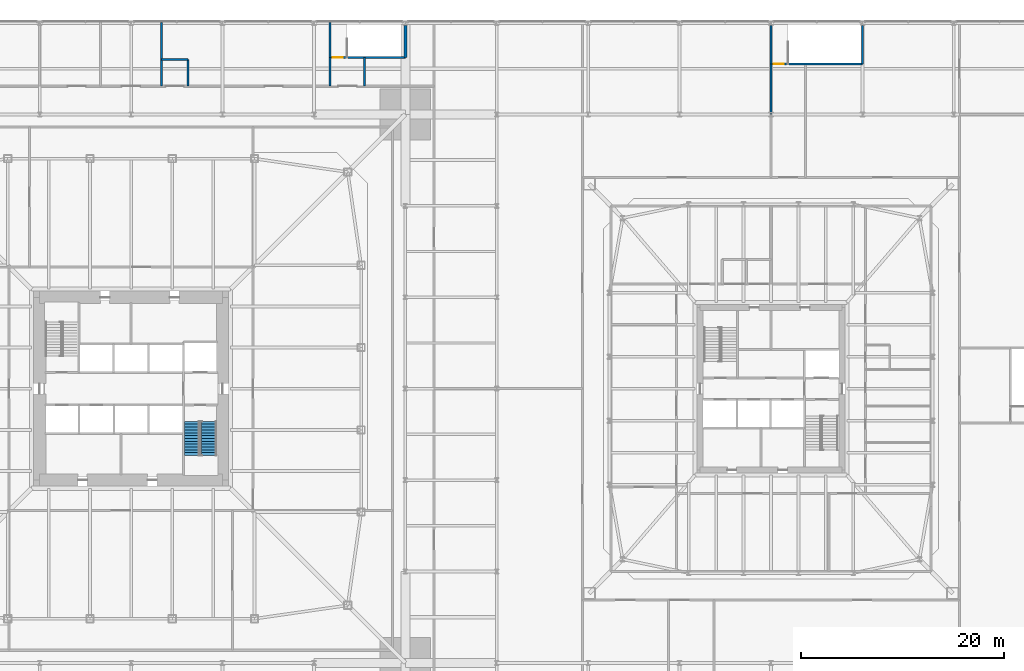
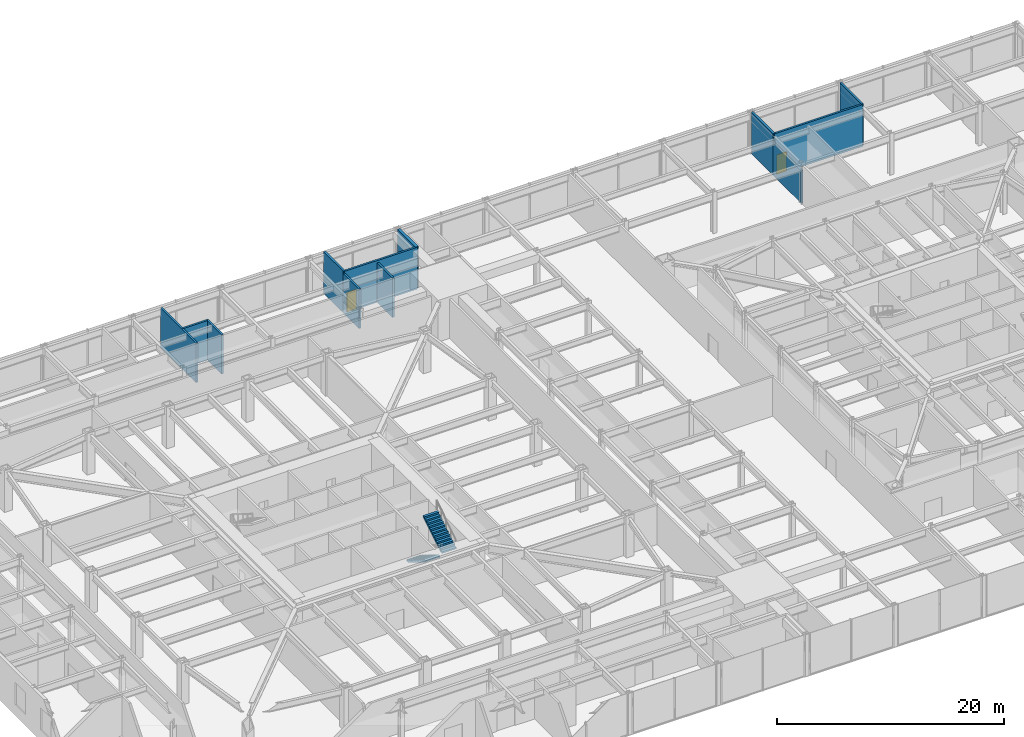
# One storey, part 27 of 30: 12 walls, 2 doors, 2 stair flights, 2 openings, 1 element without a shape of its own.
"""IFC4 building model written with IfcOpenShell, lengths in metres."""

from ifc_helpers import new_model, si_unit, direction, frame, frame_2d, origin, place, context, subcontext, project, spatial, polyline, rectangle, outline, extrude, material, layer, layer_set, constituent, constituent_set, type_object, element, fill, aggregate, save


model = new_model("IFC4")

# Units and contexts
model_context = context("Model", 3, precision=1e-05, world=origin(), true_north=direction((0.0, 1.0)))
body_context = subcontext(model_context, "Body", "Model", "MODEL_VIEW")
ifc_project = project(units=[si_unit("LENGTHUNIT", "METRE"), si_unit("AREAUNIT", "SQUARE_METRE"), si_unit("VOLUMEUNIT", "CUBIC_METRE"), si_unit("PLANEANGLEUNIT", "RADIAN"), si_unit("MASSUNIT", "GRAM", prefix="KILO")], contexts=[model_context])

# Site, building, storey
site_placement = place(None, origin())
site = spatial("IfcSite", under=ifc_project, at=site_placement, CompositionType="ELEMENT")
building_placement = place(site_placement, origin())
building = spatial("IfcBuilding", under=site, at=building_placement, Name="Iwan Alto Co-Living Towers", CompositionType="ELEMENT")
storey_placement = place(building_placement, frame((0.0, 0.0, 10.5)))
storey = spatial("IfcBuildingStorey", under=building, at=storey_placement, Name="L02", CompositionType="ELEMENT", Elevation=10.5)

# Walls
ifc_material_1 = material(Name="Concrete block masonry f*p 10 MPa", Category="masonry")
ifc_layer_1 = layer(ifc_material_1, 0.199951171875)
ifc_layer_set_1 = layer_set([ifc_layer_1], Name="PODIUM INTERNAL WALL 200")
wall_type_1 = type_object("IfcWallType", Name="PODIUM INTERNAL WALL 200", PredefinedType="SOLIDWALL", material=ifc_layer_set_1)
wall_1_placement = place(storey_placement, frame((3.0, 32.39990234375, 0.0), z_axis=(0.0, 0.0, 1.0), x_axis=(1.0, 0.0, 0.0)))
element("IfcWall", 1, at=wall_1_placement, inside=storey, type_object=wall_type_1, Name="Partition L02", PredefinedType="SOLIDWALL", context=body_context, shape_type="SweptSolid", body=[
    extrude(rectangle(XDim=2.60009765625, YDim=0.199951171875, at=frame_2d((1.300048828125, 0.0))), origin(), (0.0, 0.0, 1.0), 4.25),
])
for number, where, z_axis, x_axis, name in (
    (2, (23.0, 29.800048828125, 0.0), (0.0, 0.0, 1.0), (0.0, 1.0, 0.0), "Partition L02"),
    (3, (19.60009765625, 29.800048828125, 0.0), (0.0, 0.0, 1.0), (0.0, 1.0, 0.0), "Partition L02"),
):
    element("IfcWall", number, at=place(storey_placement, frame(where, z_axis=z_axis, x_axis=x_axis)), inside=storey, type_object=wall_type_1, Name=name, PredefinedType="SOLIDWALL", context=body_context, shape_type="SweptSolid", body=[
        extrude(rectangle(XDim=2.800048828125, YDim=0.199951171875, at=frame_2d((1.39990234375, 0.0))), origin(), (0.0, 0.0, 1.0), 4.25),
    ])
wall_2_placement = place(storey_placement, frame((5.60009765625, 29.800048828125, 0.0), z_axis=(0.0, 0.0, 1.0), x_axis=(0.0, 1.0, 0.0)))
element("IfcWall", 4, at=wall_2_placement, inside=storey, type_object=wall_type_1, Name="Partition L02", PredefinedType="SOLIDWALL", context=body_context, shape_type="SweptSolid", body=[
    extrude(rectangle(XDim=2.599853515625, YDim=0.199951171875, at=frame_2d((1.2998046875, 0.0))), origin(), (0.0, 0.0, 1.0), 4.25),
])
wall_3_placement = place(storey_placement, frame((3.0, 29.800048828125, 0.0), z_axis=(0.0, 0.0, 1.0), x_axis=(0.0, 1.0, 0.0)))
element("IfcWall", 5, at=wall_3_placement, inside=storey, type_object=wall_type_1, Name="Partition L02", PredefinedType="SOLIDWALL", context=body_context, shape_type="SweptSolid", body=[
    extrude(rectangle(XDim=6.25, YDim=0.199951171875, at=frame_2d((3.125, 0.0))), origin(), (0.0, 0.0, 1.0), 4.25),
])
wall_4_placement = place(storey_placement, frame((63.0, 27.0, 0.0), z_axis=(0.0, 0.0, 1.0), x_axis=(0.0, 1.0, 0.0)))
element("IfcWall", 6, at=wall_4_placement, inside=storey, type_object=wall_type_1, Name="Partition L02", PredefinedType="SOLIDWALL", context=body_context, shape_type="SweptSolid", body=[
    extrude(rectangle(XDim=4.9599609375, YDim=0.199951171875, at=frame_2d((2.47998046875, 0.0))), origin(), (0.0, 0.0, 1.0), 3.48046875),
])

# Wall, opening, door
ifc_material_2 = material(Name="Concrete f'c 70 MPa", Category="concrete")
ifc_layer_2 = layer(ifc_material_2, 0.199951171875)
ifc_layer_set_2 = layer_set([ifc_layer_2], Name="SHAFT WALL 200")
wall_type_2 = type_object("IfcWallType", Name="SHAFT WALL 200", PredefinedType="SOLIDWALL", material=ifc_layer_set_2)
wall_5_placement = place(storey_placement, frame((63.0, 31.9599609375, 0.0), z_axis=(0.0, 0.0, 1.0), x_axis=(1.0, 0.0, 0.0)))
wall_5 = element("IfcWall", 7, at=wall_5_placement, inside=storey, type_object=wall_type_2, Name="Shaft wall L02", PredefinedType="SOLIDWALL", context=body_context, shape_type="SweptSolid", body=[
    extrude(rectangle(XDim=9.0, YDim=0.199951171875, at=frame_2d((4.5, 0.0))), origin(), (0.0, 0.0, 1.0), 4.5),
])
opening_1_placement = place(wall_5_placement, frame((0.25, 0.0, 0.0)))
opening_1 = element("IfcOpeningElement", 8, at=opening_1_placement, cuts=wall_5, Name="Opening D5", PredefinedType="OPENING", context=body_context, shape_type="SweptSolid", body=[
    extrude(rectangle(XDim=1.0, YDim=2.10009765625, at=frame_2d((0.5, 1.050048828125))), frame((0.0, 0.10986328125, 0.0), z_axis=(0.0, -1.0, 0.0), x_axis=(1.0, 0.0, 0.0)), (0.0, 0.0, 1.0), 0.219970703125),
])
ifc_material_3 = material(Name="Steel frame with timber leaf", Category="steel")
door_type = type_object("IfcDoorType", Name="STAIR DOOR FD120S 1000X2100", OperationType="SINGLE_SWING_LEFT", PredefinedType="DOOR", material=ifc_material_3)
door_1_placement = place(opening_1_placement, origin())
door_1 = element("IfcDoor", 9, at=door_1_placement, inside=storey, type_object=door_type, Name="Stair PS5 door L02", OperationType="SINGLE_SWING_LEFT", OverallHeight=2.10009765625, OverallWidth=1.0, PredefinedType="DOOR", context=body_context, shape_type="SweptSolid", body=[
    extrude(rectangle(XDim=1.0, YDim=2.10009765625, at=frame_2d((0.5, 1.050048828125))), frame((0.0, 0.02490234375, 0.0), z_axis=(0.0, -1.0, 0.0), x_axis=(1.0, 0.0, 0.0)), (0.0, 0.0, 1.0), 0.050048828125),
])
fill(opening_1, door_1)

wall_6_placement = place(storey_placement, frame((19.60009765625, 32.60009765625, 0.0), z_axis=(0.0, 0.0, 1.0), x_axis=(1.0, 0.0, 0.0)))
wall_6 = element("IfcWall", 10, at=wall_6_placement, inside=storey, type_object=wall_type_2, Name="Shaft wall L02", PredefinedType="SOLIDWALL", context=body_context, shape_type="SweptSolid", body=[
    extrude(rectangle(XDim=7.39990234375, YDim=0.199951171875, at=frame_2d((3.699951171875, 0.0))), origin(), (0.0, 0.0, 1.0), 4.5),
])
opening_2_placement = place(wall_6_placement, frame((0.25, 0.0, 0.0)))
opening_2 = element("IfcOpeningElement", 11, at=opening_2_placement, cuts=wall_6, Name="Opening D5", PredefinedType="OPENING", context=body_context, shape_type="SweptSolid", body=[
    extrude(rectangle(XDim=1.0, YDim=2.10009765625, at=frame_2d((0.5, 1.050048828125))), frame((0.0, 0.10986328125, 0.0), z_axis=(0.0, -1.0, 0.0), x_axis=(1.0, 0.0, 0.0)), (0.0, 0.0, 1.0), 0.219970703125),
])
door_2_placement = place(opening_2_placement, origin())
door_2 = element("IfcDoor", 12, at=door_2_placement, inside=storey, type_object=door_type, Name="Stair PS3 door L02", OperationType="SINGLE_SWING_LEFT", OverallHeight=2.10009765625, OverallWidth=1.0, PredefinedType="DOOR", context=body_context, shape_type="SweptSolid", body=[
    extrude(rectangle(XDim=1.0, YDim=2.10009765625, at=frame_2d((0.5, 1.050048828125))), frame((0.0, 0.02490234375, 0.0), z_axis=(0.0, -1.0, 0.0), x_axis=(1.0, 0.0, 0.0)), (0.0, 0.0, 1.0), 0.050048828125),
])
fill(opening_2, door_2)

# Walls
for number, where, z_axis, x_axis, name in (
    (13, (72.0, 31.9599609375, 0.0), (0.0, 0.0, 1.0), (0.0, 1.0, 0.0), "Shaft wall L02"),
    (14, (63.0, 31.9599609375, 0.0), (0.0, 0.0, 1.0), (0.0, 1.0, 0.0), "Shaft wall L02"),
):
    element("IfcWall", number, at=place(storey_placement, frame(where, z_axis=z_axis, x_axis=x_axis)), inside=storey, type_object=wall_type_2, Name=name, PredefinedType="SOLIDWALL", context=body_context, shape_type="SweptSolid", body=[
        extrude(rectangle(XDim=3.82275390625, YDim=0.199951171875, at=frame_2d((1.911376953125, 0.0))), origin(), (0.0, 0.0, 1.0), 4.5),
    ])
wall_7_placement = place(storey_placement, frame((19.60009765625, 32.60009765625, 0.0), z_axis=(0.0, 0.0, 1.0), x_axis=(0.0, 1.0, 0.0)))
element("IfcWall", 15, at=wall_7_placement, inside=storey, type_object=wall_type_2, Name="Shaft wall L02", PredefinedType="SOLIDWALL", context=body_context, shape_type="SweptSolid", body=[
    extrude(rectangle(XDim=3.449951171875, YDim=0.199951171875, at=frame_2d((1.72509765625, 0.0))), origin(), (0.0, 0.0, 1.0), 4.5),
])
ifc_material_4 = material(Name="Concrete f'c 70 MPa", Category="concrete")
ifc_layer_3 = layer(ifc_material_4, 0.300048828125)
ifc_layer_set_3 = layer_set([ifc_layer_3], Name="SHAFT WALL 300")
wall_type_3 = type_object("IfcWallType", Name="SHAFT WALL 300", PredefinedType="SOLIDWALL", material=ifc_layer_set_3)
wall_8_placement = place(storey_placement, frame((27.0, 32.60009765625, 0.0), z_axis=(0.0, 0.0, 1.0), x_axis=(0.0, 1.0, 0.0)))
element("IfcWall", 16, at=wall_8_placement, inside=storey, type_object=wall_type_3, Name="Shaft wall L02", PredefinedType="SOLIDWALL", context=body_context, shape_type="SweptSolid", body=[
    extrude(rectangle(XDim=3.1826171875, YDim=0.300048828125, at=frame_2d((1.59130859375, 0.0))), origin(), (0.0, 0.0, 1.0), 4.5),
])

# Stair, stair flights
ifc_material_5 = material(Name="Steel ASTM A36", Category="steel")
ifc_constituent_1 = constituent(ifc_material_5, Name="Stringers", Category="LoadBearing")
ifc_material_6 = material(Name="Concrete f'c 30 MPa", Category="concrete")
ifc_constituent_2 = constituent(ifc_material_6, Name="Tread fill", Category="Finish")
ifc_constituent_set_1 = constituent_set(constituents=[ifc_constituent_1, ifc_constituent_2], Name="STAIR 4500 TWO-FLIGHT T1 CORE")
stair_type = type_object("IfcStairType", Name="STAIR 4500 TWO-FLIGHT T1 CORE", PredefinedType="HALF_TURN_STAIR", material=ifc_constituent_set_1)
stair_placement = place(storey_placement, origin())
stair = element("IfcStair", 17, at=stair_placement, inside=storey, type_object=stair_type, Name="Stair T1-S2 L02 to L03", PredefinedType="HALF_TURN_STAIR")
ifc_constituent_3 = constituent(ifc_material_5, Name="Stringers", Category="LoadBearing")
ifc_constituent_4 = constituent(ifc_material_6, Name="Tread fill", Category="Finish")
ifc_constituent_set_2 = constituent_set(constituents=[ifc_constituent_3, ifc_constituent_4], Name="STAIR FLIGHT 13 RISERS 280 GOING")
stair_flight_type = type_object("IfcStairFlightType", Name="STAIR FLIGHT 13 RISERS 280 GOING", PredefinedType="STRAIGHT", material=ifc_constituent_set_2)
stair_flight_1_placement = place(storey_placement, frame((6.010009765625, -3.219970703125, 0.0), z_axis=(0.0, 0.0, 1.0), x_axis=(0.0, -1.0, 0.0)))
stair_flight_1 = element("IfcStairFlight", 18, at=stair_flight_1_placement, type_object=stair_flight_type, Name="T1-S2 flight 1", NumberOfRisers=13, NumberOfTreads=12, PredefinedType="STRAIGHT", RiserHeight=0.173077, TreadLength=0.28, context=body_context, shape_type="SweptSolid", body=[
    extrude(outline(polyline([(0.0, 0.0), (0.0, 0.173095703125), (0.280029296875, 0.173095703125), (0.280029296875, 0.34619140625), (0.56005859375, 0.34619140625), (0.56005859375, 0.519287109375), (0.840087890625, 0.519287109375), (0.840087890625, 0.6923828125), (1.1201171875, 0.6923828125), (1.1201171875, 0.865478515625), (1.39990234375, 0.865478515625), (1.39990234375, 1.03857421875), (1.679931640625, 1.03857421875), (1.679931640625, 1.21142578125), (1.9599609375, 1.21142578125), (1.9599609375, 1.384521484375), (2.239990234375, 1.384521484375), (2.239990234375, 1.5576171875), (2.52001953125, 1.5576171875), (2.52001953125, 1.730712890625), (2.800048828125, 1.730712890625), (2.800048828125, 1.90380859375), (3.080078125, 1.90380859375), (3.080078125, 2.076904296875), (3.360107421875, 2.076904296875), (3.360107421875, 2.25), (3.360107421875, 1.900634765625), (0.28515625, 0.0), (0.0, 0.0)])), frame((0.0, 0.739990234375, 0.0), z_axis=(0.0, -1.0, 0.0), x_axis=(1.0, 0.0, 0.0)), (0.0, 0.0, 1.0), 1.47998046875),
])
stair_flight_2_placement = place(storey_placement, frame((7.68994140625, -6.580078125, 2.25), z_axis=(0.0, 0.0, 1.0), x_axis=(0.0, 1.0, 0.0)))
stair_flight_2 = element("IfcStairFlight", 19, at=stair_flight_2_placement, type_object=stair_flight_type, Name="T1-S2 flight 2", NumberOfRisers=13, NumberOfTreads=12, PredefinedType="STRAIGHT", RiserHeight=0.173077, TreadLength=0.28, context=body_context, shape_type="SweptSolid", body=[
    extrude(outline(polyline([(0.0, 0.0), (0.0, 0.173095703125), (0.280029296875, 0.173095703125), (0.280029296875, 0.34619140625), (0.56005859375, 0.34619140625), (0.56005859375, 0.519287109375), (0.840087890625, 0.519287109375), (0.840087890625, 0.6923828125), (1.1201171875, 0.6923828125), (1.1201171875, 0.865478515625), (1.39990234375, 0.865478515625), (1.39990234375, 1.03857421875), (1.679931640625, 1.03857421875), (1.679931640625, 1.21142578125), (1.9599609375, 1.21142578125), (1.9599609375, 1.384521484375), (2.239990234375, 1.384521484375), (2.239990234375, 1.5576171875), (2.52001953125, 1.5576171875), (2.52001953125, 1.730712890625), (2.800048828125, 1.730712890625), (2.800048828125, 1.90380859375), (3.080078125, 1.90380859375), (3.080078125, 2.076904296875), (3.360107421875, 2.076904296875), (3.360107421875, 2.25), (3.360107421875, 1.900634765625), (0.28515625, 0.0), (0.0, 0.0)])), frame((0.0, 0.739990234375, 0.0), z_axis=(0.0, -1.0, 0.0), x_axis=(1.0, 0.0, 0.0)), (0.0, 0.0, 1.0), 1.47998046875),
])
aggregate(stair, [stair_flight_1, stair_flight_2])

save(model, "model.ifc")
